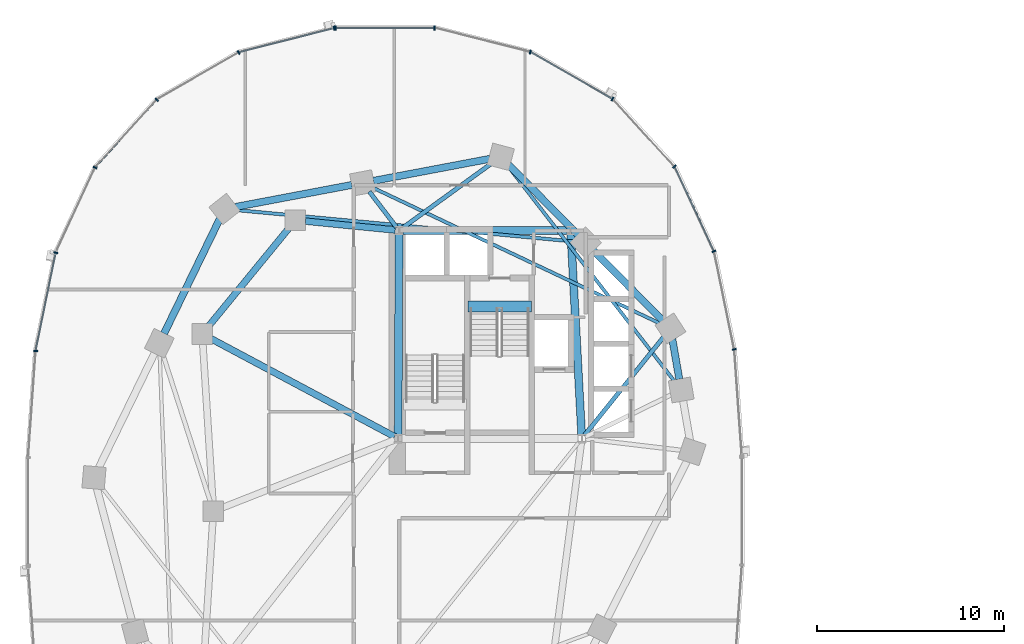
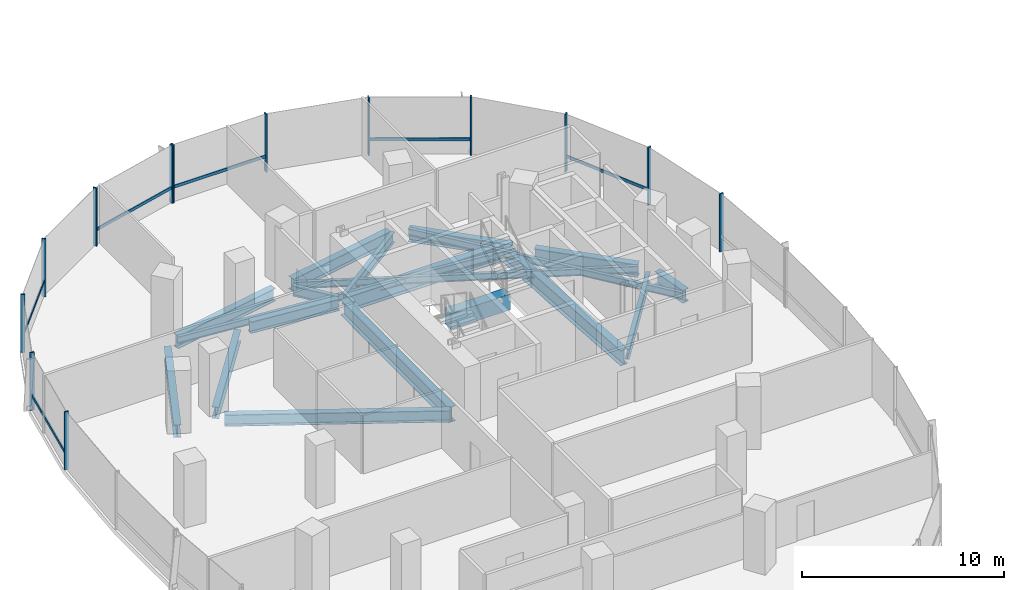
# One storey, part 4 of 21: 19 beams, 19 members, 2 elements without a shape of their own.
"""IFC4 building model written with IfcOpenShell, lengths in metres."""

from ifc_helpers import new_model, si_unit, direction, frame, origin, origin_2d, place, context, subcontext, project, spatial, rectangle, i_section, extrude, material, material_profile, profile_set, type_object, element, aggregate, save


model = new_model("IFC4")

# Units and contexts
model_context = context("Model", 3, precision=1e-05, world=origin(), true_north=direction((0.0, 1.0)))
body_context = subcontext(model_context, "Body", "Model", "MODEL_VIEW")
ifc_project = project(units=[si_unit("LENGTHUNIT", "METRE"), si_unit("AREAUNIT", "SQUARE_METRE"), si_unit("VOLUMEUNIT", "CUBIC_METRE"), si_unit("PLANEANGLEUNIT", "RADIAN"), si_unit("MASSUNIT", "GRAM", prefix="KILO"), si_unit("THERMODYNAMICTEMPERATUREUNIT", "KELVIN"), si_unit("POWERUNIT", "WATT")], contexts=[model_context])

# Site, building, storey
site_placement = place(None, origin())
site = spatial("IfcSite", under=ifc_project, at=site_placement, CompositionType="ELEMENT")
building_placement = place(site_placement, origin())
building = spatial("IfcBuilding", under=site, at=building_placement, Name="Cundina Bronze Exchange", CompositionType="ELEMENT")
storey_placement = place(building_placement, frame((0.0, 0.0, 62.0)))
storey = spatial("IfcBuildingStorey", under=building, at=storey_placement, Name="L15", CompositionType="ELEMENT", Elevation=62.0)

# Beams
ifc_material_1 = material(Name="Concrete C60/75", Category="concrete")
ifc_material_profile_1 = material_profile(ifc_material_1, rectangle(XDim=0.60009765625, YDim=0.949951171875, at=origin_2d()), Name="RC600X950", Category="concrete")
ifc_profile_set_1 = profile_set([ifc_material_profile_1], Name="Concrete C60/75")
beam_type_1 = type_object("IfcBeamType", Name="BM-COUP-RC950", PredefinedType="LINTEL", material=ifc_profile_set_1)
beam_1_placement = place(storey_placement, frame((-27.56005859375, 10.97998046875, -0.47509765625), z_axis=(1.0, 0.0, 0.0), x_axis=(0.0, 1.0, 0.0)))
element("IfcBeam", 1, at=beam_1_placement, inside=storey, type_object=beam_type_1, Name="L15 Stair W2 Landing Header Beam", PredefinedType="LINTEL", context=body_context, shape_type="SweptSolid", body=[
    extrude(rectangle(XDim=0.60009765625, YDim=0.949951171875, at=origin_2d()), origin(), (0.0, 0.0, 1.0), 3.400146484375),
])
ifc_material_2 = material(Name="Steel ASTM A992 Grade 50", Category="steel")
ifc_material_profile_2 = material_profile(ifc_material_2, i_section(OverallWidth=0.22998046875, OverallDepth=0.616943359375, WebThickness=0.01318359375, FlangeThickness=0.022216796875, FilletRadius=0.013916015625, at=origin_2d()), Name="W24X94", Category="steel")
ifc_profile_set_2 = profile_set([ifc_material_profile_2], Name="Steel ASTM A992 Grade 50")
beam_type_2 = type_object("IfcBeamType", Name="BM-FLR-W24B", PredefinedType="BEAM", material=ifc_profile_set_2)
beam_2_placement = place(storey_placement, frame((-21.322021484375, 4.058837890625, -0.6083984375), z_axis=(0.627106366175, 0.778933633568, 0.0), x_axis=(-0.778933633568, 0.627106366175, 0.0)))
element("IfcBeam", 2, at=beam_2_placement, inside=storey, type_object=beam_type_2, Name="L15 Leg W Radial Floor Beam 02", PredefinedType="BEAM", context=body_context, shape_type="SweptSolid", body=[
    extrude(i_section(OverallWidth=0.22998046875, OverallDepth=0.616943359375, WebThickness=0.01318359375, FlangeThickness=0.022216796875, FilletRadius=0.013916015625, at=origin_2d()), origin(), (0.0, 0.0, 1.0), 6.78271484375),
])
beam_3_placement = place(storey_placement, frame((-31.084716796875, 15.169677734375, -0.6083984375), z_axis=(0.809700299677, 0.586843611794, 0.0), x_axis=(-0.586843611794, 0.809700299677, 0.0)))
element("IfcBeam", 3, at=beam_3_placement, inside=storey, type_object=beam_type_2, Name="L15 Leg W Radial Floor Beam 04", PredefinedType="BEAM", context=body_context, shape_type="SweptSolid", body=[
    extrude(i_section(OverallWidth=0.22998046875, OverallDepth=0.616943359375, WebThickness=0.01318359375, FlangeThickness=0.022216796875, FilletRadius=0.013916015625, at=origin_2d()), origin(), (0.0, 0.0, 1.0), 5.938720703125),
])
beam_4_placement = place(storey_placement, frame((-31.373779296875, 15.2119140625, -0.6083984375), z_axis=(-0.607468844289, 0.794343504548, 0.0), x_axis=(-0.794343504548, -0.607468844289, 0.0)))
element("IfcBeam", 4, at=beam_4_placement, inside=storey, type_object=beam_type_2, Name="L15 Leg W Radial Floor Beam 05", PredefinedType="BEAM", context=body_context, shape_type="SweptSolid", body=[
    extrude(i_section(OverallWidth=0.22998046875, OverallDepth=0.616943359375, WebThickness=0.01318359375, FlangeThickness=0.022216796875, FilletRadius=0.013916015625, at=origin_2d()), origin(), (0.0, 0.0, 1.0), 2.418212890625),
])
ifc_material_profile_3 = material_profile(ifc_material_2, i_section(OverallWidth=0.178955078125, OverallDepth=0.409912109375, WebThickness=0.0087890625, FlangeThickness=0.014404296875, FilletRadius=0.010986328125, at=origin_2d()), Name="W16X45", Category="steel")
ifc_profile_set_3 = profile_set([ifc_material_profile_3], Name="Steel ASTM A992 Grade 50")
beam_type_3 = type_object("IfcBeamType", Name="BM-JST-W16", PredefinedType="JOIST", material=ifc_profile_set_3)
beam_5_placement = place(storey_placement, frame((-16.48486328125, 6.965087890625, -0.5048828125), z_axis=(-0.612089386305, 0.790788583108, 0.0), x_axis=(-0.790788583108, -0.612089386305, 0.0)))
element("IfcBeam", 5, at=beam_5_placement, inside=storey, type_object=beam_type_3, Name="L15 Leg W Lobe Floor Joist 01-04", PredefinedType="JOIST", context=body_context, shape_type="SweptSolid", body=[
    extrude(i_section(OverallWidth=0.178955078125, OverallDepth=0.409912109375, WebThickness=0.0087890625, FlangeThickness=0.014404296875, FilletRadius=0.010986328125, at=origin_2d()), origin(), (0.0, 0.0, 1.0), 14.630859375),
])
beam_6_placement = place(storey_placement, frame((-17.231689453125, 10.05126953125, -0.5048828125), z_axis=(-0.904072668297, 0.427378766949, 0.0), x_axis=(-0.427378766949, -0.904072668297, 0.0)))
element("IfcBeam", 6, at=beam_6_placement, inside=storey, type_object=beam_type_3, Name="L15 Leg W Lobe Floor Joist 02-05", PredefinedType="JOIST", context=body_context, shape_type="SweptSolid", body=[
    extrude(i_section(OverallWidth=0.178955078125, OverallDepth=0.409912109375, WebThickness=0.0087890625, FlangeThickness=0.014404296875, FilletRadius=0.010986328125, at=origin_2d()), origin(), (0.0, 0.0, 1.0), 17.07470703125),
])
beam_7_placement = place(storey_placement, frame((-21.83544921875, 14.45458984375, -0.5048828125), z_axis=(-0.995701961644, 0.09261535282, 0.0), x_axis=(-0.09261535282, -0.995701961644, 0.0)))
element("IfcBeam", 7, at=beam_7_placement, inside=storey, type_object=beam_type_3, Name="L15 Leg W Lobe Floor Joist 03-06", PredefinedType="JOIST", context=body_context, shape_type="SweptSolid", body=[
    extrude(i_section(OverallWidth=0.178955078125, OverallDepth=0.409912109375, WebThickness=0.0087890625, FlangeThickness=0.014404296875, FilletRadius=0.010986328125, at=origin_2d()), origin(), (0.0, 0.0, 1.0), 18.25732421875),
])
ifc_material_profile_4 = material_profile(ifc_material_2, i_section(OverallWidth=0.35498046875, OverallDepth=0.695068359375, WebThickness=0.015380859375, FlangeThickness=0.02490234375, FilletRadius=0.01806640625, at=origin_2d()), Name="W27X146", Category="steel")
ifc_profile_set_4 = profile_set([ifc_material_profile_4], Name="Steel ASTM A992 Grade 50")
beam_type_4 = type_object("IfcBeamType", Name="BM-RING-W27", PredefinedType="USERDEFINED", material=ifc_profile_set_4)
beam_8_placement = place(storey_placement, frame((-31.452880859375, 15.070068359375, -0.6474609375), z_axis=(-0.995126271817, 0.098608839051, 0.0), x_axis=(-0.098608839051, -0.995126271817, 0.0)))
element("IfcBeam", 8, at=beam_8_placement, inside=storey, type_object=beam_type_4, Name="L15 W Inner Structural Ring Girder 01", ObjectType="GIRDER", PredefinedType="USERDEFINED", context=body_context, shape_type="SweptSolid", body=[
    extrude(i_section(OverallWidth=0.35498046875, OverallDepth=0.695068359375, WebThickness=0.015380859375, FlangeThickness=0.02490234375, FilletRadius=0.01806640625, at=origin_2d()), origin(), (0.0, 0.0, 1.0), 4.83544921875),
])
beam_9_placement = place(storey_placement, frame((-37.14111328125, 15.183837890625, -0.6474609375), z_axis=(-0.633926549035, -0.773393257295, 0.0), x_axis=(0.773393257295, -0.633926549035, 0.0)))
element("IfcBeam", 9, at=beam_9_placement, inside=storey, type_object=beam_type_4, Name="L15 W Inner Structural Ring Girder 02", ObjectType="GIRDER", PredefinedType="USERDEFINED", context=body_context, shape_type="SweptSolid", body=[
    extrude(i_section(OverallWidth=0.35498046875, OverallDepth=0.695068359375, WebThickness=0.015380859375, FlangeThickness=0.02490234375, FilletRadius=0.01806640625, at=origin_2d()), origin(), (0.0, 0.0, 1.0), 6.811279296875),
])
beam_10_placement = place(storey_placement, frame((-31.47998046875, 3.99609375, -0.6474609375), z_axis=(-0.882354758239, 0.470584828286, 0.0), x_axis=(-0.470584828286, -0.882354758239, 0.0)))
element("IfcBeam", 10, at=beam_10_placement, inside=storey, type_object=beam_type_4, Name="L15 W Core-to-Waist Tie Beam 2", ObjectType="GIRDER", PredefinedType="USERDEFINED", context=body_context, shape_type="SweptSolid", body=[
    extrude(i_section(OverallWidth=0.35498046875, OverallDepth=0.695068359375, WebThickness=0.015380859375, FlangeThickness=0.02490234375, FilletRadius=0.01806640625, at=origin_2d()), origin(), (0.0, 0.0, 1.0), 11.157958984375),
])
ifc_material_profile_5 = material_profile(ifc_material_2, i_section(OverallWidth=0.381103515625, OverallDepth=0.77294921875, WebThickness=0.0166015625, FlangeThickness=0.027099609375, FilletRadius=0.01904296875, at=origin_2d()), Name="W30X173", Category="steel")
ifc_profile_set_5 = profile_set([ifc_material_profile_5], Name="Steel ASTM A992 Grade 50")
beam_type_5 = type_object("IfcBeamType", Name="BM-RING-W30", PredefinedType="USERDEFINED", material=ifc_profile_set_5)
beam_11_placement = place(storey_placement, frame((-16.225830078125, 7.079345703125, -0.6865234375), z_axis=(-0.171734584051, 0.985143254883, 0.0), x_axis=(-0.985143254883, -0.171734584051, 0.0)))
element("IfcBeam", 11, at=beam_11_placement, inside=storey, type_object=beam_type_5, Name="L15 W Perimeter Ring Girder 01", ObjectType="GIRDER", PredefinedType="USERDEFINED", context=body_context, shape_type="SweptSolid", body=[
    extrude(i_section(OverallWidth=0.381103515625, OverallDepth=0.77294921875, WebThickness=0.0166015625, FlangeThickness=0.027099609375, FilletRadius=0.01904296875, at=origin_2d()), origin(), (0.0, 0.0, 1.0), 2.173583984375),
])
for number, where, z_axis, x_axis, name in (
    (12, (-17.113525390625, 10.218017578125, -0.6865234375), (-0.703222428859, 0.710969911845, 0.0), (-0.710969911845, -0.703222428859, 0.0), "L15 W Perimeter Ring Girder 02"),
    (13, (-21.66357421875, 14.818115234375, -0.6865234375), (-0.703222428859, 0.710969911845, 0.0), (-0.710969911845, -0.703222428859, 0.0), "L15 W Perimeter Ring Girder 03"),
):
    element("IfcBeam", number, at=place(storey_placement, frame(where, z_axis=z_axis, x_axis=x_axis)), inside=storey, type_object=beam_type_5, Name=name, ObjectType="GIRDER", PredefinedType="USERDEFINED", context=body_context, shape_type="SweptSolid", body=[
        extrude(i_section(OverallWidth=0.381103515625, OverallDepth=0.77294921875, WebThickness=0.0166015625, FlangeThickness=0.027099609375, FilletRadius=0.01904296875, at=origin_2d()), origin(), (0.0, 0.0, 1.0), 5.2939453125),
    ])
beam_12_placement = place(storey_placement, frame((-26.377685546875, 18.890625, -0.6865234375), z_axis=(-0.982570814598, -0.185888661031, 0.0), x_axis=(0.185888661031, -0.982570814598, 0.0)))
element("IfcBeam", 14, at=beam_12_placement, inside=storey, type_object=beam_type_5, Name="L15 W Perimeter Ring Girder 04", ObjectType="GIRDER", PredefinedType="USERDEFINED", context=body_context, shape_type="SweptSolid", body=[
    extrude(i_section(OverallWidth=0.381103515625, OverallDepth=0.77294921875, WebThickness=0.0166015625, FlangeThickness=0.027099609375, FilletRadius=0.01904296875, at=origin_2d()), origin(), (0.0, 0.0, 1.0), 6.35546875),
])
beam_13_placement = place(storey_placement, frame((-33.77783203125, 17.49072265625, -0.6865234375), z_axis=(-0.982569487119, -0.185895677686, 0.0), x_axis=(0.185895677686, -0.982569487119, 0.0)))
element("IfcBeam", 15, at=beam_13_placement, inside=storey, type_object=beam_type_5, Name="L15 W Perimeter Ring Girder 05", ObjectType="GIRDER", PredefinedType="USERDEFINED", context=body_context, shape_type="SweptSolid", body=[
    extrude(i_section(OverallWidth=0.381103515625, OverallDepth=0.77294921875, WebThickness=0.0166015625, FlangeThickness=0.027099609375, FilletRadius=0.01904296875, at=origin_2d()), origin(), (0.0, 0.0, 1.0), 6.355224609375),
])
beam_14_placement = place(storey_placement, frame((-40.857177734375, 15.671142578125, -0.6865234375), z_axis=(-0.437190698904, -0.899368830231, 0.0), x_axis=(0.899368830231, -0.437190698904, 0.0)))
element("IfcBeam", 16, at=beam_14_placement, inside=storey, type_object=beam_type_5, Name="L15 W Perimeter Ring Girder 06", ObjectType="GIRDER", PredefinedType="USERDEFINED", context=body_context, shape_type="SweptSolid", body=[
    extrude(i_section(OverallWidth=0.381103515625, OverallDepth=0.77294921875, WebThickness=0.0166015625, FlangeThickness=0.027099609375, FilletRadius=0.01904296875, at=origin_2d()), origin(), (0.0, 0.0, 1.0), 6.82958984375),
])
ifc_material_profile_6 = material_profile(ifc_material_2, i_section(OverallWidth=0.41796875, OverallDepth=0.927001953125, WebThickness=0.019287109375, FlangeThickness=0.031982421875, FilletRadius=0.02392578125, at=origin_2d()), Name="W36X231", Category="steel")
ifc_profile_set_6 = profile_set([ifc_material_profile_6], Name="Steel ASTM A992 Grade 50")
beam_type_6 = type_object("IfcBeamType", Name="BM-WRN-W36B", PredefinedType="USERDEFINED", material=ifc_profile_set_6)
beam_15_placement = place(storey_placement, frame((-21.4609375, 4.103759765625, -0.763427734375), z_axis=(-0.053739193498, 0.998555005537, 0.0), x_axis=(-0.998555005537, -0.053739193498, 0.0)))
element("IfcBeam", 17, at=beam_15_placement, inside=storey, type_object=beam_type_6, Name="L15 W Core Perimeter Tie Girder 2", ObjectType="GIRDER", PredefinedType="USERDEFINED", context=body_context, shape_type="SweptSolid", body=[
    extrude(i_section(OverallWidth=0.41796875, OverallDepth=0.927001953125, WebThickness=0.019287109375, FlangeThickness=0.031982421875, FilletRadius=0.02392578125, at=origin_2d()), origin(), (0.0, 0.0, 1.0), 10.758056640625),
])
beam_16_placement = place(storey_placement, frame((-22.25390625, 15.050048828125, -0.763427734375), z_axis=(-1.0, 0.0, 0.0), x_axis=(0.0, -1.0, 0.0)))
element("IfcBeam", 18, at=beam_16_placement, inside=storey, type_object=beam_type_6, Name="L15 W Core Perimeter Tie Girder 3", ObjectType="GIRDER", PredefinedType="USERDEFINED", context=body_context, shape_type="SweptSolid", body=[
    extrude(i_section(OverallWidth=0.41796875, OverallDepth=0.927001953125, WebThickness=0.019287109375, FlangeThickness=0.031982421875, FilletRadius=0.02392578125, at=origin_2d()), origin(), (0.0, 0.0, 1.0), 8.7919921875),
])
beam_17_placement = place(storey_placement, frame((-31.2509765625, 14.845947265625, -0.763427734375), z_axis=(-0.004477329608, -0.99998997671, 0.0), x_axis=(0.99998997671, -0.004477329608, 0.0)))
element("IfcBeam", 19, at=beam_17_placement, inside=storey, type_object=beam_type_6, Name="L15 W Core Perimeter Tie Girder 4", ObjectType="GIRDER", PredefinedType="USERDEFINED", context=body_context, shape_type="SweptSolid", body=[
    extrude(i_section(OverallWidth=0.41796875, OverallDepth=0.927001953125, WebThickness=0.019287109375, FlangeThickness=0.031982421875, FilletRadius=0.02392578125, at=origin_2d()), origin(), (0.0, 0.0, 1.0), 10.741943359375),
])

# Curtain wall, members
ifc_material_3 = material(Name="Anodised Bronze Aluminium 6063-T6", Category="aluminium")
curtain_wall_type = type_object("IfcCurtainWallType", Name="CWS-TRD-LOW", PredefinedType="NOTDEFINED", material=ifc_material_3)
curtain_wall_1_placement = place(storey_placement, origin())
curtain_wall_1 = element("IfcCurtainWall", 20, at=curtain_wall_1_placement, inside=storey, type_object=curtain_wall_type, Name="L15 CW-02 Curtain Wall Run CWR-L15-W1", PredefinedType="NOTDEFINED")
ifc_material_profile_7 = material_profile(ifc_material_3, rectangle(XDim=0.074951171875, YDim=0.219970703125, at=origin_2d()), Name="AL75X220", Category="aluminium")
ifc_profile_set_7 = profile_set([ifc_material_profile_7], Name="Anodised Bronze Aluminium 6063-T6")
member_type_1 = type_object("IfcMemberType", Name="CWM-MUL-220", PredefinedType="MULLION", material=ifc_profile_set_7)
member_1_placement = place(storey_placement, frame((-13.282958984375, 8.67822265625, 0.0), z_axis=(0.0, 0.0, 1.0), x_axis=(-0.201419845156, 0.979505000486, 0.0)))
member_1 = element("IfcMember", 21, at=member_1_placement, type_object=member_type_1, Name="CW-02 Mullion 2", PredefinedType="MULLION", context=body_context, shape_type="SweptSolid", body=[
    extrude(rectangle(XDim=0.074951171875, YDim=0.219970703125, at=origin_2d()), origin(), (0.0, 0.0, 1.0), 3.5),
])
member_2_placement = place(storey_placement, frame((-14.3720703125, 13.931884765625, 0.0), z_axis=(0.0, 0.0, 1.0), x_axis=(-0.42087749791, 0.907117485088, 0.0)))
member_2 = element("IfcMember", 22, at=member_2_placement, type_object=member_type_1, Name="CW-02 Mullion 3", PredefinedType="MULLION", context=body_context, shape_type="SweptSolid", body=[
    extrude(rectangle(XDim=0.074951171875, YDim=0.219970703125, at=origin_2d()), origin(), (0.0, 0.0, 1.0), 3.5),
])
member_3_placement = place(storey_placement, frame((-16.491455078125, 18.47705078125, 0.0), z_axis=(0.0, 0.0, 1.0), x_axis=(-0.674302387584, 0.738455340626, 0.0)))
member_3 = element("IfcMember", 23, at=member_3_placement, type_object=member_type_1, Name="CW-02 Mullion 4", PredefinedType="MULLION", context=body_context, shape_type="SweptSolid", body=[
    extrude(rectangle(XDim=0.074951171875, YDim=0.219970703125, at=origin_2d()), origin(), (0.0, 0.0, 1.0), 3.5),
])
member_4_placement = place(storey_placement, frame((-19.810302734375, 22.097412109375, 0.0), z_axis=(0.0, 0.0, 1.0), x_axis=(-0.867070701164, 0.498185105339, 0.0)))
member_4 = element("IfcMember", 24, at=member_4_placement, type_object=member_type_1, Name="CW-02 Mullion 5", PredefinedType="MULLION", context=body_context, shape_type="SweptSolid", body=[
    extrude(rectangle(XDim=0.074951171875, YDim=0.219970703125, at=origin_2d()), origin(), (0.0, 0.0, 1.0), 3.5),
])
member_5_placement = place(storey_placement, frame((-24.21484375, 24.61669921875, 0.0), z_axis=(0.0, 0.0, 1.0), x_axis=(-0.969488149345, 0.245138182011, 0.0)))
member_5 = element("IfcMember", 25, at=member_5_placement, type_object=member_type_1, Name="CW-02 Mullion 6", PredefinedType="MULLION", context=body_context, shape_type="SweptSolid", body=[
    extrude(rectangle(XDim=0.074951171875, YDim=0.219970703125, at=origin_2d()), origin(), (0.0, 0.0, 1.0), 3.5),
])
member_6_placement = place(storey_placement, frame((-29.345458984375, 25.905029296875, 0.0), z_axis=(0.0, 0.0, 1.0), x_axis=(-1.0, 0.0, 0.0)))
member_6 = element("IfcMember", 26, at=member_6_placement, type_object=member_type_1, Name="CW-02 Mullion 7", PredefinedType="MULLION", context=body_context, shape_type="SweptSolid", body=[
    extrude(rectangle(XDim=0.074951171875, YDim=0.219970703125, at=origin_2d()), origin(), (0.0, 0.0, 1.0), 3.5),
])
member_7_placement = place(storey_placement, frame((-34.654541015625, 25.905029296875, 0.0), z_axis=(0.0, 0.0, 1.0), x_axis=(-1.0, 0.0, 0.0)))
member_7 = element("IfcMember", 27, at=member_7_placement, type_object=member_type_1, Name="CW-02 End Mullion", PredefinedType="MULLION", context=body_context, shape_type="SweptSolid", body=[
    extrude(rectangle(XDim=0.074951171875, YDim=0.219970703125, at=origin_2d()), origin(), (0.0, 0.0, 1.0), 3.5),
])

curtain_wall_2_placement = place(storey_placement, origin())
curtain_wall_2 = element("IfcCurtainWall", 28, at=curtain_wall_2_placement, inside=storey, type_object=curtain_wall_type, Name="L15 CW-02 Curtain Wall Run CWR-L15-W2", PredefinedType="NOTDEFINED")
member_8_placement = place(storey_placement, frame((-34.72607421875, 25.89599609375, 0.0), z_axis=(0.0, 0.0, 1.0), x_axis=(-0.969488149345, -0.245138182011, 0.0)))
member_8 = element("IfcMember", 29, at=member_8_placement, type_object=member_type_1, Name="CW-02 Mullion 1", PredefinedType="MULLION", context=body_context, shape_type="SweptSolid", body=[
    extrude(rectangle(XDim=0.074951171875, YDim=0.219970703125, at=origin_2d()), origin(), (0.0, 0.0, 1.0), 3.5),
])
member_9_placement = place(storey_placement, frame((-39.848876953125, 24.591064453125, 0.0), z_axis=(0.0, 0.0, 1.0), x_axis=(-0.867070701164, -0.498185105339, 0.0)))
member_9 = element("IfcMember", 30, at=member_9_placement, type_object=member_type_1, Name="CW-02 Mullion 2", PredefinedType="MULLION", context=body_context, shape_type="SweptSolid", body=[
    extrude(rectangle(XDim=0.074951171875, YDim=0.219970703125, at=origin_2d()), origin(), (0.0, 0.0, 1.0), 3.5),
])
member_10_placement = place(storey_placement, frame((-44.239501953125, 22.0576171875, 0.0), z_axis=(0.0, 0.0, 1.0), x_axis=(-0.674302387584, -0.738455340626, 0.0)))
member_10 = element("IfcMember", 31, at=member_10_placement, type_object=member_type_1, Name="CW-02 Mullion 3", PredefinedType="MULLION", context=body_context, shape_type="SweptSolid", body=[
    extrude(rectangle(XDim=0.074951171875, YDim=0.219970703125, at=origin_2d()), origin(), (0.0, 0.0, 1.0), 3.5),
])
member_11_placement = place(storey_placement, frame((-47.544189453125, 18.423583984375, 0.0), z_axis=(0.0, 0.0, 1.0), x_axis=(-0.42087749791, -0.907117485088, 0.0)))
member_11 = element("IfcMember", 32, at=member_11_placement, type_object=member_type_1, Name="CW-02 Mullion 4", PredefinedType="MULLION", context=body_context, shape_type="SweptSolid", body=[
    extrude(rectangle(XDim=0.074951171875, YDim=0.219970703125, at=origin_2d()), origin(), (0.0, 0.0, 1.0), 3.5),
])
member_12_placement = place(storey_placement, frame((-49.651123046875, 13.861328125, 0.0), z_axis=(0.0, 0.0, 1.0), x_axis=(-0.201419845156, -0.979505000486, 0.0)))
member_12 = element("IfcMember", 33, at=member_12_placement, type_object=member_type_1, Name="CW-02 Mullion 5", PredefinedType="MULLION", context=body_context, shape_type="SweptSolid", body=[
    extrude(rectangle(XDim=0.074951171875, YDim=0.219970703125, at=origin_2d()), origin(), (0.0, 0.0, 1.0), 3.5),
])
member_13_placement = place(storey_placement, frame((-50.72900390625, 8.591552734375, 0.0), z_axis=(0.0, 0.0, 1.0), x_axis=(-0.070278787473, -0.997527389113, 0.0)))
member_13 = element("IfcMember", 34, at=member_13_placement, type_object=member_type_1, Name="CW-02 Mullion 6", PredefinedType="MULLION", context=body_context, shape_type="SweptSolid", body=[
    extrude(rectangle(XDim=0.074951171875, YDim=0.219970703125, at=origin_2d()), origin(), (0.0, 0.0, 1.0), 3.5),
])

# Member
ifc_material_profile_8 = material_profile(ifc_material_3, rectangle(XDim=0.070068359375, YDim=0.179931640625, at=origin_2d()), Name="AL70X180", Category="aluminium")
ifc_profile_set_8 = profile_set([ifc_material_profile_8], Name="Anodised Bronze Aluminium 6063-T6")
member_type_2 = type_object("IfcMemberType", Name="CWM-TRN-180", PredefinedType="USERDEFINED", material=ifc_profile_set_8)
member_14_placement = place(storey_placement, frame((-14.389404296875, 13.96923828125, 0.919921875), z_axis=(-0.420811422796, 0.907148139195, 0.0), x_axis=(-0.907148139195, -0.420811422796, 0.0)))
member_14 = element("IfcMember", 35, at=member_14_placement, type_object=member_type_2, Name="CW-02 Spandrel Transom 3", ObjectType="TRANSOM", PredefinedType="USERDEFINED", context=body_context, shape_type="SweptSolid", body=[
    extrude(rectangle(XDim=0.070068359375, YDim=0.179931640625, at=origin_2d()), origin(), (0.0, 0.0, 1.0), 4.95166015625),
])

member_15_placement = place(storey_placement, frame((-19.845947265625, 22.117919921875, 0.919921875), z_axis=(-0.867097475651, 0.498138502546, 0.0), x_axis=(-0.498138502546, -0.867097475651, 0.0)))
member_15 = element("IfcMember", 36, at=member_15_placement, type_object=member_type_2, Name="CW-02 Spandrel Transom 5", ObjectType="TRANSOM", PredefinedType="USERDEFINED", context=body_context, shape_type="SweptSolid", body=[
    extrude(rectangle(XDim=0.070068359375, YDim=0.179931640625, at=origin_2d()), origin(), (0.0, 0.0, 1.0), 5.00634765625),
])

member_16_placement = place(storey_placement, frame((-29.38671875, 25.905029296875, 0.919921875), z_axis=(-1.0, 0.0, 0.0), x_axis=(0.0, -1.0, 0.0)))
member_16 = element("IfcMember", 37, at=member_16_placement, type_object=member_type_2, Name="CW-02 Spandrel Transom 7", ObjectType="TRANSOM", PredefinedType="USERDEFINED", context=body_context, shape_type="SweptSolid", body=[
    extrude(rectangle(XDim=0.070068359375, YDim=0.179931640625, at=origin_2d()), origin(), (0.0, 0.0, 1.0), 5.2265625),
])

aggregate(curtain_wall_1, [member_1, member_2, member_14, member_3, member_4, member_15, member_5, member_6, member_7, member_16])

member_17_placement = place(storey_placement, frame((-34.76611328125, 25.885986328125, 0.919921875), z_axis=(-0.969483968866, -0.245154714644, 0.0), x_axis=(0.245154714644, -0.969483968866, 0.0)))
member_17 = element("IfcMember", 38, at=member_17_placement, type_object=member_type_2, Name="CW-02 Spandrel Transom 1", ObjectType="TRANSOM", PredefinedType="USERDEFINED", context=body_context, shape_type="SweptSolid", body=[
    extrude(rectangle(XDim=0.070068359375, YDim=0.179931640625, at=origin_2d()), origin(), (0.0, 0.0, 1.0), 5.21826171875),
])

member_18_placement = place(storey_placement, frame((-44.26708984375, 22.027099609375, 0.919921875), z_axis=(-0.674302794847, -0.738454968743, 0.0), x_axis=(0.738454968743, -0.674302794847, 0.0)))
member_18 = element("IfcMember", 39, at=member_18_placement, type_object=member_type_2, Name="CW-02 Spandrel Transom 3", ObjectType="TRANSOM", PredefinedType="USERDEFINED", context=body_context, shape_type="SweptSolid", body=[
    extrude(rectangle(XDim=0.070068359375, YDim=0.179931640625, at=origin_2d()), origin(), (0.0, 0.0, 1.0), 4.848388671875),
])

member_19_placement = place(storey_placement, frame((-49.659423828125, 13.821044921875, 0.919921875), z_axis=(-0.201427712708, -0.979503382615, 0.0), x_axis=(0.979503382615, -0.201427712708, 0.0)))
member_19 = element("IfcMember", 40, at=member_19_placement, type_object=member_type_2, Name="CW-02 Spandrel Transom 5", ObjectType="TRANSOM", PredefinedType="USERDEFINED", context=body_context, shape_type="SweptSolid", body=[
    extrude(rectangle(XDim=0.070068359375, YDim=0.179931640625, at=origin_2d()), origin(), (0.0, 0.0, 1.0), 5.291748046875),
])

aggregate(curtain_wall_2, [member_8, member_17, member_9, member_10, member_18, member_11, member_12, member_19, member_13])

save(model, "model.ifc")
